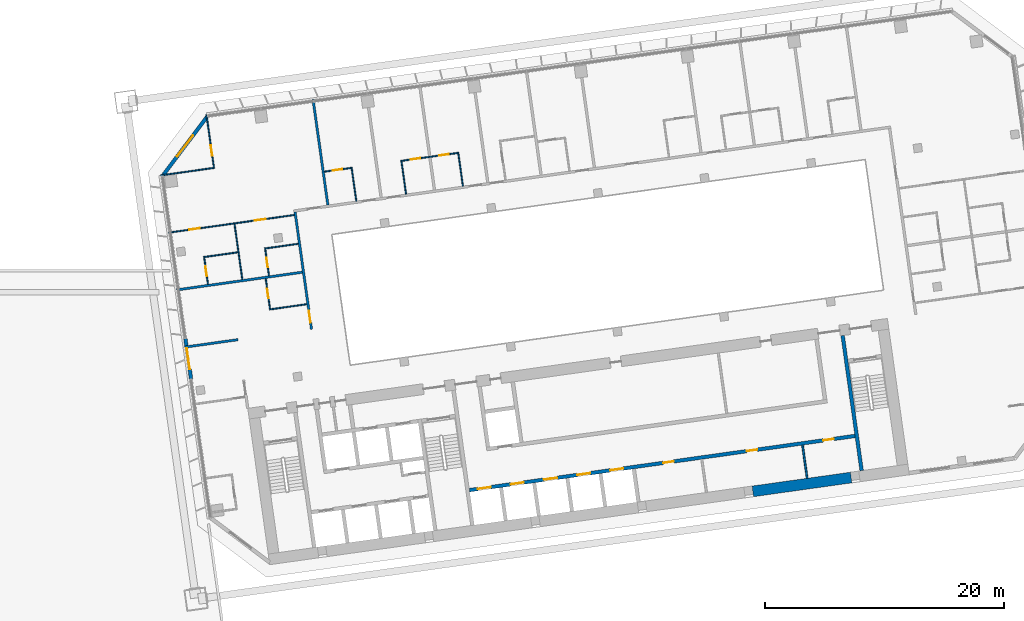
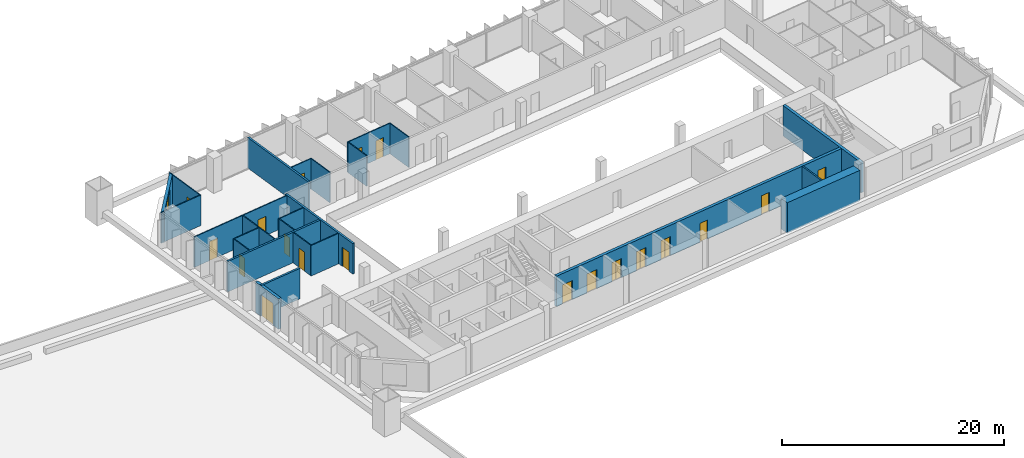
# One storey, part 34 of 46: 25 walls, 19 doors, 1 window, 20 openings.
"""IFC4 building model written with IfcOpenShell, lengths in metres."""

from ifc_helpers import new_model, si_unit, direction, frame, frame_2d, origin, place, context, subcontext, project, spatial, rectangle, extrude, material, layer, layer_set, type_object, element, fill, save


model = new_model("IFC4")

# Units and contexts
model_context = context("Model", 3, precision=1e-05, world=origin(), true_north=direction((0.0, 1.0)))
body_context = subcontext(model_context, "Body", "Model", "MODEL_VIEW")
ifc_project = project(units=[si_unit("LENGTHUNIT", "METRE"), si_unit("AREAUNIT", "SQUARE_METRE"), si_unit("VOLUMEUNIT", "CUBIC_METRE"), si_unit("PLANEANGLEUNIT", "RADIAN"), si_unit("MASSUNIT", "GRAM", prefix="KILO")], contexts=[model_context])

# Site, building, storey
site_placement = place(None, origin())
site = spatial("IfcSite", under=ifc_project, at=site_placement, CompositionType="ELEMENT")
building_placement = place(site_placement, origin())
building = spatial("IfcBuilding", under=site, at=building_placement, Name="Mirante Cascada Hotel Towers", CompositionType="ELEMENT")
storey_placement = place(building_placement, frame((0.0, 0.0, 39.5)))
storey = spatial("IfcBuildingStorey", under=building, at=storey_placement, Name="L06", CompositionType="ELEMENT", Elevation=39.5)

# Walls
ifc_material_1 = material(Name="Fire-rated plasterboard on metal studs")
ifc_layer_1 = layer(ifc_material_1, 0.2)
ifc_layer_set_1 = layer_set([ifc_layer_1], Name="Compartment wall 200 EI 120")
wall_type_1 = type_object("IfcWallType", Name="Compartment wall 200 EI 120", PredefinedType="PARTITIONING", material=ifc_layer_set_1)
wall_1_placement = place(storey_placement, frame((34.4562, -1.3737, 0.0), z_axis=(0.0, 0.0, 1.0), x_axis=(-0.9902674, -0.1391779, 0.0)))
element("IfcWall", 1, at=wall_1_placement, inside=storey, type_object=wall_type_1, Name="Wall 2-L06-08", PredefinedType="PARTITIONING", context=body_context, shape_type="SweptSolid", body=[
    extrude(rectangle(XDim=4.5, YDim=0.2, at=frame_2d((2.25, 0.0))), origin(), (0.0, 0.0, 1.0), 3.35),
])
wall_2_placement = place(storey_placement, frame((29.3273, 2.7863, 0.0), z_axis=(0.0, 0.0, 1.0), x_axis=(0.9902686, 0.1391691, 0.0)))
element("IfcWall", 2, at=wall_2_placement, inside=storey, type_object=wall_type_1, Name="Wall 2-L06-13", PredefinedType="PARTITIONING", context=body_context, shape_type="SweptSolid", body=[
    extrude(rectangle(XDim=10.6001, YDim=0.2, at=frame_2d((5.3, 0.0))), origin(), (0.0, 0.0, 1.0), 3.35),
])

# Wall, opening, door
wall_3_placement = place(storey_placement, frame((39.2181, 9.2928, 0.0), z_axis=(0.0, 0.0, 1.0), x_axis=(0.1391725, -0.9902682, 0.0)))
wall_3 = element("IfcWall", 3, at=wall_3_placement, inside=storey, type_object=wall_type_1, Name="Wall 2-L06-34", PredefinedType="PARTITIONING", context=body_context, shape_type="SweptSolid", body=[
    extrude(rectangle(XDim=9.8999, YDim=0.2, at=frame_2d((4.95, 0.0))), origin(), (0.0, 0.0, 1.0), 3.35),
])
opening_1_placement = place(wall_3_placement, frame((8.3333, 0.0, 0.0)))
opening_1 = element("IfcOpeningElement", 4, at=opening_1_placement, cuts=wall_3, Name="Opening D2-L06-33", PredefinedType="OPENING", context=body_context, shape_type="SweptSolid", body=[
    extrude(rectangle(XDim=1.0, YDim=2.1, at=frame_2d((0.5, 1.05))), frame((0.0, 0.1, 0.0), z_axis=(0.0, -1.0, 0.0), x_axis=(1.0, 0.0, 0.0)), (0.0, 0.0, 1.0), 0.2),
])
ifc_material_2 = material(Name="Fire-rated timber door leaf", Category="wood")
door_type_1 = type_object("IfcDoorType", Name="Entrance door DG1 1000x2100 EI 60", OperationType="SINGLE_SWING_LEFT", PredefinedType="DOOR", material=ifc_material_2)
door_1_placement = place(opening_1_placement, frame((1.0, 0.0, 0.0), z_axis=(0.0, 0.0, 1.0), x_axis=(-1.0, 0.0, 0.0)))
door_1 = element("IfcDoor", 5, at=door_1_placement, inside=storey, type_object=door_type_1, Name="Door D2-L06-33", OperationType="SINGLE_SWING_RIGHT", OverallHeight=2.1, OverallWidth=1.0, PredefinedType="DOOR", context=body_context, shape_type="SweptSolid", body=[
    extrude(rectangle(XDim=1.0, YDim=2.1, at=frame_2d((0.5, 1.05))), frame((0.0, 0.025, 0.0), z_axis=(0.0, -1.0, 0.0), x_axis=(1.0, 0.0, 0.0)), (0.0, 0.0, 1.0), 0.05),
])
fill(opening_1, door_1)

# Walls
wall_4_placement = place(storey_placement, frame((41.963, 9.8805, 0.0), z_axis=(0.0, 0.0, 1.0), x_axis=(-0.1391794, 0.9902672, 0.0)))
element("IfcWall", 6, at=wall_4_placement, inside=storey, type_object=wall_type_1, Name="Wall 2-L06-35", PredefinedType="PARTITIONING", context=body_context, shape_type="SweptSolid", body=[
    extrude(rectangle(XDim=8.9, YDim=0.2, at=frame_2d((4.45, 0.0))), origin(), (0.0, 0.0, 1.0), 3.35),
])
ifc_material_3 = material(Name="Masonry block", Category="masonry")
ifc_layer_2 = layer(ifc_material_3, 0.15)
ifc_layer_set_2 = layer_set([ifc_layer_2], Name="Core room partition 150 block EI 30")
wall_type_2 = type_object("IfcWallType", Name="Core room partition 150 block EI 30", PredefinedType="PARTITIONING", material=ifc_layer_set_2)
wall_5_placement = place(storey_placement, frame((82.0324, -12.9652, 0.0), z_axis=(0.0, 0.0, 1.0), x_axis=(-0.139141, 0.9902726, 0.0)))
element("IfcWall", 7, at=wall_5_placement, inside=storey, type_object=wall_type_2, Name="Core wall partition T2 L06 6", PredefinedType="PARTITIONING", context=body_context, shape_type="SweptSolid", body=[
    extrude(rectangle(XDim=2.8, YDim=0.15, at=frame_2d((1.4, 0.0))), origin(), (0.0, 0.0, 1.0), 3.35),
])
ifc_material_4 = material(Name="Plasterboard on metal studs")
ifc_layer_3 = layer(ifc_material_4, 0.1)
ifc_layer_set_3 = layer_set([ifc_layer_3], Name="Partition 100")
wall_type_3 = type_object("IfcWallType", Name="Partition 100", PredefinedType="PARTITIONING", material=ifc_layer_set_3)
wall_6_placement = place(storey_placement, frame((40.1999, 1.5878, 0.0), z_axis=(0.0, 0.0, 1.0), x_axis=(-0.9902676, -0.1391765, 0.0)))
element("IfcWall", 8, at=wall_6_placement, inside=storey, type_object=wall_type_3, Name="Wall 2-L06-10", PredefinedType="PARTITIONING", context=body_context, shape_type="SweptSolid", body=[
    extrude(rectangle(XDim=3.15, YDim=0.1, at=frame_2d((1.575, 0.0))), origin(), (0.0, 0.0, 1.0), 3.35),
])
wall_7_placement = place(storey_placement, frame((31.568, 5.5248, 0.0), z_axis=(0.0, 0.0, 1.0), x_axis=(0.9902683, 0.1391714, 0.0)))
element("IfcWall", 9, at=wall_7_placement, inside=storey, type_object=wall_type_3, Name="Wall 2-L06-15", PredefinedType="PARTITIONING", context=body_context, shape_type="SweptSolid", body=[
    extrude(rectangle(XDim=2.9, YDim=0.1, at=frame_2d((1.45, 0.0))), origin(), (0.0, 0.0, 1.0), 3.35),
])
wall_8_placement = place(storey_placement, frame((39.4902, 6.6381, 0.0), z_axis=(0.0, 0.0, 1.0), x_axis=(-0.9902704, -0.1391564, 0.0)))
element("IfcWall", 10, at=wall_8_placement, inside=storey, type_object=wall_type_3, Name="Wall 2-L06-16", PredefinedType="PARTITIONING", context=body_context, shape_type="SweptSolid", body=[
    extrude(rectangle(XDim=2.85, YDim=0.1, at=frame_2d((1.425, 0.0))), origin(), (0.0, 0.0, 1.0), 3.35),
])

# Wall, openings, doors
wall_9_placement = place(storey_placement, frame((28.6547, 7.5726, 0.0), z_axis=(0.0, 0.0, 1.0), x_axis=(0.9902671, 0.1391797, 0.0)))
wall_9 = element("IfcWall", 11, at=wall_9_placement, inside=storey, type_object=wall_type_3, Name="Wall 2-L06-17", PredefinedType="PARTITIONING", context=body_context, shape_type="SweptSolid", body=[
    extrude(rectangle(XDim=10.6, YDim=0.1, at=frame_2d((5.3, 0.0))), origin(), (0.0, 0.0, 1.0), 3.35),
])
opening_2_placement = place(wall_9_placement, frame((1.725, 0.0, 0.0)))
opening_2 = element("IfcOpeningElement", 12, at=opening_2_placement, cuts=wall_9, Name="Opening D2-L06-07", PredefinedType="OPENING", context=body_context, shape_type="SweptSolid", body=[
    extrude(rectangle(XDim=0.9, YDim=2.1, at=frame_2d((0.45, 1.05))), frame((0.0, 0.05, 0.0), z_axis=(0.0, -1.0, 0.0), x_axis=(1.0, 0.0, 0.0)), (0.0, 0.0, 1.0), 0.1),
])
opening_3_placement = place(wall_9_placement, frame((7.275, 0.0, 0.0)))
opening_3 = element("IfcOpeningElement", 13, at=opening_3_placement, cuts=wall_9, Name="Opening D2-L06-08", PredefinedType="OPENING", context=body_context, shape_type="SweptSolid", body=[
    extrude(rectangle(XDim=0.9, YDim=2.1, at=frame_2d((0.45, 1.05))), frame((0.0, 0.05, 0.0), z_axis=(0.0, -1.0, 0.0), x_axis=(1.0, 0.0, 0.0)), (0.0, 0.0, 1.0), 0.1),
])
ifc_material_5 = material(Name="Timber door leaf", Category="wood")
door_type_2 = type_object("IfcDoorType", Name="Room door DG3 900x2100", OperationType="SINGLE_SWING_LEFT", PredefinedType="DOOR", material=ifc_material_5)
door_2_placement = place(opening_2_placement, origin())
door_2 = element("IfcDoor", 14, at=door_2_placement, inside=storey, type_object=door_type_2, Name="Door D2-L06-07", OperationType="SINGLE_SWING_LEFT", OverallHeight=2.1, OverallWidth=0.9, PredefinedType="DOOR", context=body_context, shape_type="SweptSolid", body=[
    extrude(rectangle(XDim=0.9, YDim=2.1, at=frame_2d((0.45, 1.05))), frame((0.0, 0.025, 0.0), z_axis=(0.0, -1.0, 0.0), x_axis=(1.0, 0.0, 0.0)), (0.0, 0.0, 1.0), 0.05),
])
fill(opening_2, door_2)
door_3_placement = place(opening_3_placement, origin())
door_3 = element("IfcDoor", 15, at=door_3_placement, inside=storey, type_object=door_type_2, Name="Door D2-L06-08", OperationType="SINGLE_SWING_LEFT", OverallHeight=2.1, OverallWidth=0.9, PredefinedType="DOOR", context=body_context, shape_type="SweptSolid", body=[
    extrude(rectangle(XDim=0.9, YDim=2.1, at=frame_2d((0.45, 1.05))), frame((0.0, 0.025, 0.0), z_axis=(0.0, -1.0, 0.0), x_axis=(1.0, 0.0, 0.0)), (0.0, 0.0, 1.0), 0.05),
])
fill(opening_3, door_3)

# Wall, opening, door
wall_10_placement = place(storey_placement, frame((41.6723, 12.6672, 0.0), z_axis=(0.0, 0.0, 1.0), x_axis=(0.9902643, 0.1391997, 0.0)))
wall_10 = element("IfcWall", 16, at=wall_10_placement, inside=storey, type_object=wall_type_3, Name="Wall 2-L06-19", PredefinedType="PARTITIONING", context=body_context, shape_type="SweptSolid", body=[
    extrude(rectangle(XDim=2.25, YDim=0.1, at=frame_2d((1.125, 0.0))), origin(), (0.0, 0.0, 1.0), 3.35),
])
opening_4_placement = place(wall_10_placement, frame((0.7, 0.0, 0.0)))
opening_4 = element("IfcOpeningElement", 17, at=opening_4_placement, cuts=wall_10, Name="Opening D2-L06-19", PredefinedType="OPENING", context=body_context, shape_type="SweptSolid", body=[
    extrude(rectangle(XDim=0.8, YDim=2.1, at=frame_2d((0.4, 1.05))), frame((0.0, 0.05, 0.0), z_axis=(0.0, -1.0, 0.0), x_axis=(1.0, 0.0, 0.0)), (0.0, 0.0, 1.0), 0.1),
])
ifc_material_6 = material(Name="Timber door leaf", Category="wood")
door_type_3 = type_object("IfcDoorType", Name="Bathroom door DG4 800x2100", OperationType="SINGLE_SWING_LEFT", PredefinedType="DOOR", material=ifc_material_6)
door_4_placement = place(opening_4_placement, origin())
door_4 = element("IfcDoor", 18, at=door_4_placement, inside=storey, type_object=door_type_3, Name="Door D2-L06-19", OperationType="SINGLE_SWING_LEFT", OverallHeight=2.1, OverallWidth=0.8, PredefinedType="DOOR", context=body_context, shape_type="SweptSolid", body=[
    extrude(rectangle(XDim=0.8, YDim=2.1, at=frame_2d((0.4, 1.05))), frame((0.0, 0.025, 0.0), z_axis=(0.0, -1.0, 0.0), x_axis=(1.0, 0.0, 0.0)), (0.0, 0.0, 1.0), 0.05),
])
fill(opening_4, door_4)

# Wall, openings, doors
wall_11_placement = place(storey_placement, frame((52.9119, 14.2468, 0.0), z_axis=(0.0, 0.0, 1.0), x_axis=(-0.9902698, -0.139161, 0.0)))
wall_11 = element("IfcWall", 19, at=wall_11_placement, inside=storey, type_object=wall_type_3, Name="Wall 2-L06-20", PredefinedType="PARTITIONING", context=body_context, shape_type="SweptSolid", body=[
    extrude(rectangle(XDim=4.9001, YDim=0.1, at=frame_2d((2.45, 0.0))), origin(), (0.0, 0.0, 1.0), 3.35),
])
opening_5_placement = place(wall_11_placement, frame((3.25, 0.0, 0.0)))
opening_5 = element("IfcOpeningElement", 20, at=opening_5_placement, cuts=wall_11, Name="Opening D2-L06-20", PredefinedType="OPENING", context=body_context, shape_type="SweptSolid", body=[
    extrude(rectangle(XDim=0.8, YDim=2.1, at=frame_2d((0.4, 1.05))), frame((0.0, 0.05, 0.0), z_axis=(0.0, -1.0, 0.0), x_axis=(1.0, 0.0, 0.0)), (0.0, 0.0, 1.0), 0.1),
])
opening_6_placement = place(wall_11_placement, frame((0.85, 0.0, 0.0)))
opening_6 = element("IfcOpeningElement", 21, at=opening_6_placement, cuts=wall_11, Name="Opening D2-L06-21", PredefinedType="OPENING", context=body_context, shape_type="SweptSolid", body=[
    extrude(rectangle(XDim=0.8, YDim=2.1, at=frame_2d((0.4, 1.05))), frame((0.0, 0.05, 0.0), z_axis=(0.0, -1.0, 0.0), x_axis=(1.0, 0.0, 0.0)), (0.0, 0.0, 1.0), 0.1),
])
door_5_placement = place(opening_5_placement, frame((0.8, 0.0, 0.0), z_axis=(0.0, 0.0, 1.0), x_axis=(-1.0, 0.0, 0.0)))
door_5 = element("IfcDoor", 22, at=door_5_placement, inside=storey, type_object=door_type_3, Name="Door D2-L06-20", OperationType="SINGLE_SWING_RIGHT", OverallHeight=2.1, OverallWidth=0.8, PredefinedType="DOOR", context=body_context, shape_type="SweptSolid", body=[
    extrude(rectangle(XDim=0.8, YDim=2.1, at=frame_2d((0.4, 1.05))), frame((0.0, 0.025, 0.0), z_axis=(0.0, -1.0, 0.0), x_axis=(1.0, 0.0, 0.0)), (0.0, 0.0, 1.0), 0.05),
])
fill(opening_5, door_5)
door_6_placement = place(opening_6_placement, frame((0.8, 0.0, 0.0), z_axis=(0.0, 0.0, 1.0), x_axis=(-1.0, 0.0, 0.0)))
door_6 = element("IfcDoor", 23, at=door_6_placement, inside=storey, type_object=door_type_3, Name="Door D2-L06-21", OperationType="SINGLE_SWING_RIGHT", OverallHeight=2.1, OverallWidth=0.8, PredefinedType="DOOR", context=body_context, shape_type="SweptSolid", body=[
    extrude(rectangle(XDim=0.8, YDim=2.1, at=frame_2d((0.4, 1.05))), frame((0.0, 0.025, 0.0), z_axis=(0.0, -1.0, 0.0), x_axis=(1.0, 0.0, 0.0)), (0.0, 0.0, 1.0), 0.05),
])
fill(opening_6, door_6)

# Wall
wall_12_placement = place(storey_placement, frame((32.4877, 12.9921, 0.0), z_axis=(0.0, 0.0, 1.0), x_axis=(-0.9902691, -0.1391656, 0.0)))
element("IfcWall", 24, at=wall_12_placement, inside=storey, type_object=wall_type_3, Name="Wall 2-L06-26", PredefinedType="PARTITIONING", context=body_context, shape_type="SweptSolid", body=[
    extrude(rectangle(XDim=4.55, YDim=0.1, at=frame_2d((2.275, 0.0))), origin(), (0.0, 0.0, 1.0), 3.35),
])

# Wall, opening, door
wall_13_placement = place(storey_placement, frame((31.6245, 5.4822, 0.0), z_axis=(0.0, 0.0, 1.0), x_axis=(0.1391561, -0.9902705, 0.0)))
wall_13 = element("IfcWall", 25, at=wall_13_placement, inside=storey, type_object=wall_type_3, Name="Wall 2-L06-28", PredefinedType="PARTITIONING", context=body_context, shape_type="SweptSolid", body=[
    extrude(rectangle(XDim=2.25, YDim=0.1, at=frame_2d((1.125, 0.0))), origin(), (0.0, 0.0, 1.0), 3.35),
])
opening_7_placement = place(wall_13_placement, frame((0.75, 0.0, 0.0)))
opening_7 = element("IfcOpeningElement", 26, at=opening_7_placement, cuts=wall_13, Name="Opening D2-L06-28", PredefinedType="OPENING", context=body_context, shape_type="SweptSolid", body=[
    extrude(rectangle(XDim=0.8, YDim=2.1, at=frame_2d((0.4, 1.05))), frame((0.0, 0.05, 0.0), z_axis=(0.0, -1.0, 0.0), x_axis=(1.0, 0.0, 0.0)), (0.0, 0.0, 1.0), 0.1),
])
door_7_placement = place(opening_7_placement, origin())
door_7 = element("IfcDoor", 27, at=door_7_placement, inside=storey, type_object=door_type_3, Name="Door D2-L06-28", OperationType="SINGLE_SWING_LEFT", OverallHeight=2.1, OverallWidth=0.8, PredefinedType="DOOR", context=body_context, shape_type="SweptSolid", body=[
    extrude(rectangle(XDim=0.8, YDim=2.1, at=frame_2d((0.4, 1.05))), frame((0.0, 0.025, 0.0), z_axis=(0.0, -1.0, 0.0), x_axis=(1.0, 0.0, 0.0)), (0.0, 0.0, 1.0), 0.05),
])
fill(opening_7, door_7)

wall_14_placement = place(storey_placement, frame((31.8119, 17.4414, 0.0), z_axis=(0.0, 0.0, 1.0), x_axis=(0.1391684, -0.9902687, 0.0)))
wall_14 = element("IfcWall", 28, at=wall_14_placement, inside=storey, type_object=wall_type_3, Name="Wall 2-L06-30", PredefinedType="PARTITIONING", context=body_context, shape_type="SweptSolid", body=[
    extrude(rectangle(XDim=4.45, YDim=0.1, at=frame_2d((2.225, 0.0))), origin(), (0.0, 0.0, 1.0), 3.35),
])
opening_8_placement = place(wall_14_placement, frame((2.5833, 0.0, 0.0)))
opening_8 = element("IfcOpeningElement", 29, at=opening_8_placement, cuts=wall_14, Name="Opening D2-L06-30", PredefinedType="OPENING", context=body_context, shape_type="SweptSolid", body=[
    extrude(rectangle(XDim=0.9, YDim=2.1, at=frame_2d((0.45, 1.05))), frame((0.0, 0.05, 0.0), z_axis=(0.0, -1.0, 0.0), x_axis=(1.0, 0.0, 0.0)), (0.0, 0.0, 1.0), 0.1),
])
door_8_placement = place(opening_8_placement, origin())
door_8 = element("IfcDoor", 30, at=door_8_placement, inside=storey, type_object=door_type_2, Name="Door D2-L06-30", OperationType="SINGLE_SWING_LEFT", OverallHeight=2.1, OverallWidth=0.9, PredefinedType="DOOR", context=body_context, shape_type="SweptSolid", body=[
    extrude(rectangle(XDim=0.9, YDim=2.1, at=frame_2d((0.45, 1.05))), frame((0.0, 0.025, 0.0), z_axis=(0.0, -1.0, 0.0), x_axis=(1.0, 0.0, 0.0)), (0.0, 0.0, 1.0), 0.05),
])
fill(opening_8, door_8)

# Wall
wall_15_placement = place(storey_placement, frame((34.8094, 3.6577, 0.0), z_axis=(0.0, 0.0, 1.0), x_axis=(-0.139173, 0.9902681, 0.0)))
element("IfcWall", 31, at=wall_15_placement, inside=storey, type_object=wall_type_3, Name="Wall 2-L06-31", PredefinedType="PARTITIONING", context=body_context, shape_type="SweptSolid", body=[
    extrude(rectangle(XDim=4.6834, YDim=0.1, at=frame_2d((2.3417, 0.0))), origin(), (0.0, 0.0, 1.0), 3.35),
])

# Wall, opening, door
wall_16_placement = place(storey_placement, frame((36.7683, 3.731, 0.0), z_axis=(0.0, 0.0, 1.0), x_axis=(0.1391809, -0.990267, 0.0)))
wall_16 = element("IfcWall", 32, at=wall_16_placement, inside=storey, type_object=wall_type_3, Name="Wall 2-L06-32", PredefinedType="PARTITIONING", context=body_context, shape_type="SweptSolid", body=[
    extrude(rectangle(XDim=2.5499, YDim=0.1, at=frame_2d((1.275, 0.0))), origin(), (0.0, 0.0, 1.0), 3.35),
])
opening_9_placement = place(wall_16_placement, frame((0.85, 0.0, 0.0)))
opening_9 = element("IfcOpeningElement", 33, at=opening_9_placement, cuts=wall_16, Name="Opening D2-L06-31", PredefinedType="OPENING", context=body_context, shape_type="SweptSolid", body=[
    extrude(rectangle(XDim=0.8, YDim=2.1, at=frame_2d((0.4, 1.05))), frame((0.0, 0.05, 0.0), z_axis=(0.0, -1.0, 0.0), x_axis=(1.0, 0.0, 0.0)), (0.0, 0.0, 1.0), 0.1),
])
door_9_placement = place(opening_9_placement, frame((0.8, 0.0, 0.0), z_axis=(0.0, 0.0, 1.0), x_axis=(-1.0, 0.0, 0.0)))
door_9 = element("IfcDoor", 34, at=door_9_placement, inside=storey, type_object=door_type_3, Name="Door D2-L06-31", OperationType="SINGLE_SWING_RIGHT", OverallHeight=2.1, OverallWidth=0.8, PredefinedType="DOOR", context=body_context, shape_type="SweptSolid", body=[
    extrude(rectangle(XDim=0.8, YDim=2.1, at=frame_2d((0.4, 1.05))), frame((0.0, 0.025, 0.0), z_axis=(0.0, -1.0, 0.0), x_axis=(1.0, 0.0, 0.0)), (0.0, 0.0, 1.0), 0.05),
])
fill(opening_9, door_9)

wall_17_placement = place(storey_placement, frame((37.0375, 3.9708, 0.0), z_axis=(0.0, 0.0, 1.0), x_axis=(-0.1391561, 0.9902705, 0.0)))
wall_17 = element("IfcWall", 35, at=wall_17_placement, inside=storey, type_object=wall_type_3, Name="Wall 2-L06-33", PredefinedType="PARTITIONING", context=body_context, shape_type="SweptSolid", body=[
    extrude(rectangle(XDim=2.25, YDim=0.1, at=frame_2d((1.125, 0.0))), origin(), (0.0, 0.0, 1.0), 3.35),
])
opening_10_placement = place(wall_17_placement, frame((0.7, 0.0, 0.0)))
opening_10 = element("IfcOpeningElement", 36, at=opening_10_placement, cuts=wall_17, Name="Opening D2-L06-32", PredefinedType="OPENING", context=body_context, shape_type="SweptSolid", body=[
    extrude(rectangle(XDim=0.8, YDim=2.1, at=frame_2d((0.4, 1.05))), frame((0.0, 0.05, 0.0), z_axis=(0.0, -1.0, 0.0), x_axis=(1.0, 0.0, 0.0)), (0.0, 0.0, 1.0), 0.1),
])
door_10_placement = place(opening_10_placement, frame((0.8, 0.0, 0.0), z_axis=(0.0, 0.0, 1.0), x_axis=(-1.0, 0.0, 0.0)))
door_10 = element("IfcDoor", 37, at=door_10_placement, inside=storey, type_object=door_type_3, Name="Door D2-L06-32", OperationType="SINGLE_SWING_RIGHT", OverallHeight=2.1, OverallWidth=0.8, PredefinedType="DOOR", context=body_context, shape_type="SweptSolid", body=[
    extrude(rectangle(XDim=0.8, YDim=2.1, at=frame_2d((0.4, 1.05))), frame((0.0, 0.025, 0.0), z_axis=(0.0, -1.0, 0.0), x_axis=(1.0, 0.0, 0.0)), (0.0, 0.0, 1.0), 0.05),
])
fill(opening_10, door_10)

# Walls
wall_18_placement = place(storey_placement, frame((43.943, 13.0368, 0.0), z_axis=(0.0, 0.0, 1.0), x_axis=(0.1391613, -0.9902697, 0.0)))
element("IfcWall", 38, at=wall_18_placement, inside=storey, type_object=wall_type_3, Name="Wall 2-L06-36", PredefinedType="PARTITIONING", context=body_context, shape_type="SweptSolid", body=[
    extrude(rectangle(XDim=2.8499, YDim=0.1, at=frame_2d((1.425, 0.0))), origin(), (0.0, 0.0, 1.0), 3.35),
])
wall_19_placement = place(storey_placement, frame((48.116, 13.5223, 0.0), z_axis=(0.0, 0.0, 1.0), x_axis=(0.1391657, -0.9902691, 0.0)))
element("IfcWall", 39, at=wall_19_placement, inside=storey, type_object=wall_type_3, Name="Wall 2-L06-38", PredefinedType="PARTITIONING", context=body_context, shape_type="SweptSolid", body=[
    extrude(rectangle(XDim=2.75, YDim=0.1, at=frame_2d((1.375, 0.0))), origin(), (0.0, 0.0, 1.0), 3.35),
])
wall_20_placement = place(storey_placement, frame((52.8693, 14.1904, 0.0), z_axis=(0.0, 0.0, 1.0), x_axis=(0.1391607, -0.9902698, 0.0)))
element("IfcWall", 40, at=wall_20_placement, inside=storey, type_object=wall_type_3, Name="Wall 2-L06-40", PredefinedType="PARTITIONING", context=body_context, shape_type="SweptSolid", body=[
    extrude(rectangle(XDim=2.7501, YDim=0.1, at=frame_2d((1.3751, 0.0))), origin(), (0.0, 0.0, 1.0), 3.35),
])

# Wall, opening, window
ifc_material_7 = material(Name="Precast concrete C40/50", Category="concrete")
ifc_layer_4 = layer(ifc_material_7, 0.3)
ifc_layer_set_4 = layer_set([ifc_layer_4], Name="Precast concrete C40/50 cladding wall 300")
wall_type_4 = type_object("IfcWallType", Name="Precast concrete C40/50 cladding wall 300", PredefinedType="STANDARD", material=ifc_layer_set_4)
wall_21_placement = place(storey_placement, frame((31.857, 17.252, 0.0), z_axis=(0.0, 0.0, 1.0), x_axis=(-0.6018141, -0.7986362, 0.0)))
wall_21 = element("IfcWall", 41, at=wall_21_placement, inside=storey, type_object=wall_type_4, Name="Corner cladding wall T2 L06 front inner", PredefinedType="STANDARD", context=body_context, shape_type="SweptSolid", body=[
    extrude(rectangle(XDim=6.1157, YDim=0.3, at=frame_2d((3.0578, 0.0))), origin(), (0.0, 0.0, 1.0), 3.35),
])
opening_11_placement = place(wall_21_placement, frame((1.9578, 0.0, 0.6)))
opening_11 = element("IfcOpeningElement", 42, at=opening_11_placement, cuts=wall_21, Name="Opening W2-06-04", PredefinedType="OPENING", context=body_context, shape_type="SweptSolid", body=[
    extrude(rectangle(XDim=2.2, YDim=2.4, at=frame_2d((1.1, 1.2))), frame((0.0, 0.15, 0.0), z_axis=(0.0, -1.0, 0.0), x_axis=(1.0, 0.0, 0.0)), (0.0, 0.0, 1.0), 0.3),
])
ifc_material_8 = material(Name="Aluminium frame with clear double glazing", Category="aluminium")
window_type = type_object("IfcWindowType", Name="Corner suite window 2200x2400", PartitioningType="DOUBLE_PANEL_VERTICAL", PredefinedType="WINDOW", material=ifc_material_8)
window_placement = place(opening_11_placement, origin())
window = element("IfcWindow", 43, at=window_placement, inside=storey, type_object=window_type, Name="Window W2-06-04", OverallHeight=2.4, OverallWidth=2.2, PartitioningType="SINGLE_PANEL", PredefinedType="WINDOW", context=body_context, shape_type="SweptSolid", body=[
    extrude(rectangle(XDim=2.2, YDim=2.4, at=frame_2d((1.1, 1.2))), frame((0.0, 0.03, 0.0), z_axis=(0.0, -1.0, 0.0), x_axis=(1.0, 0.0, 0.0)), (0.0, 0.0, 1.0), 0.06),
])
fill(opening_11, window)

# Wall, opening, door
ifc_material_9 = material(Name="Precast concrete C40/50", Category="concrete")
ifc_layer_5 = layer(ifc_material_9, 0.3)
ifc_layer_set_5 = layer_set([ifc_layer_5], Name="Precast concrete C40/50 terrace wall 300")
wall_type_5 = type_object("IfcWallType", Name="Precast concrete C40/50 terrace wall 300", PredefinedType="STANDARD", material=ifc_layer_set_5)
wall_22_placement = place(storey_placement, frame((30.0511, -1.2859, 0.0), z_axis=(0.0, 0.0, 1.0), x_axis=(0.1391769, -0.9902675, 0.0)))
wall_22 = element("IfcWall", 44, at=wall_22_placement, inside=storey, type_object=wall_type_5, Name="Terrace door pier wall T2 L06", PredefinedType="STANDARD", context=body_context, shape_type="SweptSolid", body=[
    extrude(rectangle(XDim=3.4, YDim=0.3, at=frame_2d((1.7, 0.0))), origin(), (0.0, 0.0, 1.0), 3.35),
])
opening_12_placement = place(wall_22_placement, frame((0.8, 0.0, 0.0)))
opening_12 = element("IfcOpeningElement", 45, at=opening_12_placement, cuts=wall_22, Name="Opening D2-06-91", PredefinedType="OPENING", context=body_context, shape_type="SweptSolid", body=[
    extrude(rectangle(XDim=1.8, YDim=2.4, at=frame_2d((0.9, 1.2))), frame((0.0, 0.15, 0.0), z_axis=(0.0, -1.0, 0.0), x_axis=(1.0, 0.0, 0.0)), (0.0, 0.0, 1.0), 0.3),
])
ifc_material_10 = material(Name="Aluminium frame with clear laminated glazing", Category="aluminium")
door_type_4 = type_object("IfcDoorType", Name="Terrace double door 1800x2400", OperationType="DOUBLE_DOOR_SINGLE_SWING", PredefinedType="DOOR", material=ifc_material_10)
door_11_placement = place(opening_12_placement, origin())
door_11 = element("IfcDoor", 46, at=door_11_placement, inside=storey, type_object=door_type_4, Name="Terrace door D2-06-91", OperationType="DOUBLE_DOOR_SINGLE_SWING", OverallHeight=2.4, OverallWidth=1.8, PredefinedType="DOOR", context=body_context, shape_type="SweptSolid", body=[
    extrude(rectangle(XDim=0.895, YDim=2.4, at=frame_2d((0.4475, 1.2))), frame((0.0, 0.025, 0.0), z_axis=(0.0, -1.0, 0.0), x_axis=(1.0, 0.0, 0.0)), (0.0, 0.0, 1.0), 0.05),
    extrude(rectangle(XDim=0.895, YDim=2.4, at=frame_2d((1.3525, 1.2))), frame((0.0, 0.025, 0.0), z_axis=(0.0, -1.0, 0.0), x_axis=(1.0, 0.0, 0.0)), (0.0, 0.0, 1.0), 0.05),
])
fill(opening_12, door_11)

# Wall
ifc_material_11 = material(Name="Concrete C50/60", Category="concrete")
ifc_layer_6 = layer(ifc_material_11, 0.3)
ifc_layer_set_6 = layer_set([ifc_layer_6], Name="RC core wall 300 C50/60")
wall_type_6 = type_object("IfcWallType", Name="RC core wall 300 C50/60", PredefinedType="SHEAR", material=ifc_layer_set_6)
wall_23_placement = place(storey_placement, frame((86.5877, -12.325, 0.0), z_axis=(0.0, 0.0, 1.0), x_axis=(-0.1391749, 0.9902678, 0.0)))
element("IfcWall", 47, at=wall_23_placement, inside=storey, type_object=wall_type_6, Name="Core wall T2:L06:8", PredefinedType="SHEAR", context=body_context, shape_type="SweptSolid", body=[
    extrude(rectangle(XDim=11.4, YDim=0.3, at=frame_2d((5.7, 0.0))), origin(), (0.0, 0.0, 1.0), 3.35),
])

# Wall, openings, doors
wall_24_placement = place(storey_placement, frame((53.7953, -13.9547, 0.0), z_axis=(0.0, 0.0, 1.0), x_axis=(0.990268, 0.1391733, 0.0)))
wall_24 = element("IfcWall", 48, at=wall_24_placement, inside=storey, type_object=wall_type_6, Name="Core wall T2:L06:25", PredefinedType="SHEAR", context=body_context, shape_type="SweptSolid", body=[
    extrude(rectangle(XDim=32.5501, YDim=0.3, at=frame_2d((16.275, 0.0))), origin(), (0.0, 0.0, 1.0), 3.35),
])
opening_13_placement = place(wall_24_placement, frame((0.7, 0.0, 0.0)))
opening_13 = element("IfcOpeningElement", 49, at=opening_13_placement, cuts=wall_24, Name="Opening LD", PredefinedType="OPENING", context=body_context, shape_type="SweptSolid", body=[
    extrude(rectangle(XDim=1.1, YDim=2.1, at=frame_2d((0.55, 1.05))), frame((0.0, 0.15, 0.0), z_axis=(0.0, -1.0, 0.0), x_axis=(1.0, 0.0, 0.0)), (0.0, 0.0, 1.0), 0.3),
])
opening_14_placement = place(wall_24_placement, frame((3.5, 0.0, 0.0)))
opening_14 = element("IfcOpeningElement", 50, at=opening_14_placement, cuts=wall_24, Name="Opening LD", PredefinedType="OPENING", context=body_context, shape_type="SweptSolid", body=[
    extrude(rectangle(XDim=1.1, YDim=2.1, at=frame_2d((0.55, 1.05))), frame((0.0, 0.15, 0.0), z_axis=(0.0, -1.0, 0.0), x_axis=(1.0, 0.0, 0.0)), (0.0, 0.0, 1.0), 0.3),
])
opening_15_placement = place(wall_24_placement, frame((6.3, 0.0, 0.0)))
opening_15 = element("IfcOpeningElement", 51, at=opening_15_placement, cuts=wall_24, Name="Opening LD", PredefinedType="OPENING", context=body_context, shape_type="SweptSolid", body=[
    extrude(rectangle(XDim=1.1, YDim=2.1, at=frame_2d((0.55, 1.05))), frame((0.0, 0.15, 0.0), z_axis=(0.0, -1.0, 0.0), x_axis=(1.0, 0.0, 0.0)), (0.0, 0.0, 1.0), 0.3),
])
opening_16_placement = place(wall_24_placement, frame((9.1, 0.0, 0.0)))
opening_16 = element("IfcOpeningElement", 52, at=opening_16_placement, cuts=wall_24, Name="Opening LD", PredefinedType="OPENING", context=body_context, shape_type="SweptSolid", body=[
    extrude(rectangle(XDim=1.1, YDim=2.1, at=frame_2d((0.55, 1.05))), frame((0.0, 0.15, 0.0), z_axis=(0.0, -1.0, 0.0), x_axis=(1.0, 0.0, 0.0)), (0.0, 0.0, 1.0), 0.3),
])
opening_17_placement = place(wall_24_placement, frame((11.9, 0.0, 0.0)))
opening_17 = element("IfcOpeningElement", 53, at=opening_17_placement, cuts=wall_24, Name="Opening LD", PredefinedType="OPENING", context=body_context, shape_type="SweptSolid", body=[
    extrude(rectangle(XDim=1.1, YDim=2.1, at=frame_2d((0.55, 1.05))), frame((0.0, 0.15, 0.0), z_axis=(0.0, -1.0, 0.0), x_axis=(1.0, 0.0, 0.0)), (0.0, 0.0, 1.0), 0.3),
])
opening_18_placement = place(wall_24_placement, frame((16.35, 0.0, 0.0)))
opening_18 = element("IfcOpeningElement", 54, at=opening_18_placement, cuts=wall_24, Name="Opening D2-06-C26", PredefinedType="OPENING", context=body_context, shape_type="SweptSolid", body=[
    extrude(rectangle(XDim=0.9, YDim=2.1, at=frame_2d((0.45, 1.05))), frame((0.0, 0.15, 0.0), z_axis=(0.0, -1.0, 0.0), x_axis=(1.0, 0.0, 0.0)), (0.0, 0.0, 1.0), 0.3),
])
opening_19_placement = place(wall_24_placement, frame((23.4, 0.0, 0.0)))
opening_19 = element("IfcOpeningElement", 55, at=opening_19_placement, cuts=wall_24, Name="Opening D2-06-C27", PredefinedType="OPENING", context=body_context, shape_type="SweptSolid", body=[
    extrude(rectangle(XDim=0.9, YDim=2.1, at=frame_2d((0.45, 1.05))), frame((0.0, 0.15, 0.0), z_axis=(0.0, -1.0, 0.0), x_axis=(1.0, 0.0, 0.0)), (0.0, 0.0, 1.0), 0.3),
])
opening_20_placement = place(wall_24_placement, frame((29.875, 0.0, 0.0)))
opening_20 = element("IfcOpeningElement", 56, at=opening_20_placement, cuts=wall_24, Name="Opening D2-06-C28", PredefinedType="OPENING", context=body_context, shape_type="SweptSolid", body=[
    extrude(rectangle(XDim=0.9, YDim=2.1, at=frame_2d((0.45, 1.05))), frame((0.0, 0.15, 0.0), z_axis=(0.0, -1.0, 0.0), x_axis=(1.0, 0.0, 0.0)), (0.0, 0.0, 1.0), 0.3),
])
ifc_material_12 = material(Name="Hollow metal fire door leaf")
door_type_5 = type_object("IfcDoorType", Name="Fire door 900x2100 FD60", OperationType="NOTDEFINED", PredefinedType="DOOR", material=ifc_material_12)
door_12_placement = place(opening_18_placement, frame((0.9, 0.0, 0.0), z_axis=(0.0, 0.0, 1.0), x_axis=(-1.0, 0.0, 0.0)))
door_12 = element("IfcDoor", 57, at=door_12_placement, inside=storey, type_object=door_type_5, Name="Room door T2 L06 26", OperationType="SINGLE_SWING_LEFT", OverallHeight=2.1, OverallWidth=0.9, PredefinedType="DOOR", context=body_context, shape_type="SweptSolid", body=[
    extrude(rectangle(XDim=0.9, YDim=2.1, at=frame_2d((0.45, 1.05))), frame((0.0, 0.025, 0.0), z_axis=(0.0, -1.0, 0.0), x_axis=(1.0, 0.0, 0.0)), (0.0, 0.0, 1.0), 0.05),
])
fill(opening_18, door_12)
door_13_placement = place(opening_19_placement, frame((0.9, 0.0, 0.0), z_axis=(0.0, 0.0, 1.0), x_axis=(-1.0, 0.0, 0.0)))
door_13 = element("IfcDoor", 58, at=door_13_placement, inside=storey, type_object=door_type_5, Name="Room door T2 L06 27", OperationType="SINGLE_SWING_RIGHT", OverallHeight=2.1, OverallWidth=0.9, PredefinedType="DOOR", context=body_context, shape_type="SweptSolid", body=[
    extrude(rectangle(XDim=0.9, YDim=2.1, at=frame_2d((0.45, 1.05))), frame((0.0, 0.025, 0.0), z_axis=(0.0, -1.0, 0.0), x_axis=(1.0, 0.0, 0.0)), (0.0, 0.0, 1.0), 0.05),
])
fill(opening_19, door_13)
door_14_placement = place(opening_20_placement, frame((0.9, 0.0, 0.0), z_axis=(0.0, 0.0, 1.0), x_axis=(-1.0, 0.0, 0.0)))
door_14 = element("IfcDoor", 59, at=door_14_placement, inside=storey, type_object=door_type_5, Name="Room door T2 L06 28", OperationType="SINGLE_SWING_RIGHT", OverallHeight=2.1, OverallWidth=0.9, PredefinedType="DOOR", context=body_context, shape_type="SweptSolid", body=[
    extrude(rectangle(XDim=0.9, YDim=2.1, at=frame_2d((0.45, 1.05))), frame((0.0, 0.025, 0.0), z_axis=(0.0, -1.0, 0.0), x_axis=(1.0, 0.0, 0.0)), (0.0, 0.0, 1.0), 0.05),
])
fill(opening_20, door_14)
ifc_material_13 = material(Name="Stainless steel", Category="steel")
door_type_6 = type_object("IfcDoorType", Name="Lift landing door 1100x2100 EI 120", OperationType="DOUBLE_DOOR_SLIDING", PredefinedType="DOOR", material=ifc_material_13)
door_15_placement = place(opening_13_placement, origin())
door_15 = element("IfcDoor", 60, at=door_15_placement, inside=storey, type_object=door_type_6, Name="Lift landing door LR2-1 L06", OperationType="DOUBLE_DOOR_SLIDING", OverallHeight=2.1, OverallWidth=1.1, PredefinedType="DOOR", context=body_context, shape_type="SweptSolid", body=[
    extrude(rectangle(XDim=0.545, YDim=2.1, at=frame_2d((0.2725, 1.05))), frame((0.0, 0.025, 0.0), z_axis=(0.0, -1.0, 0.0), x_axis=(1.0, 0.0, 0.0)), (0.0, 0.0, 1.0), 0.05),
    extrude(rectangle(XDim=0.545, YDim=2.1, at=frame_2d((0.8275, 1.05))), frame((0.0, 0.025, 0.0), z_axis=(0.0, -1.0, 0.0), x_axis=(1.0, 0.0, 0.0)), (0.0, 0.0, 1.0), 0.05),
])
fill(opening_13, door_15)
door_16_placement = place(opening_14_placement, origin())
door_16 = element("IfcDoor", 61, at=door_16_placement, inside=storey, type_object=door_type_6, Name="Lift landing door LR2-2 L06", OperationType="DOUBLE_DOOR_SLIDING", OverallHeight=2.1, OverallWidth=1.1, PredefinedType="DOOR", context=body_context, shape_type="SweptSolid", body=[
    extrude(rectangle(XDim=0.545, YDim=2.1, at=frame_2d((0.2725, 1.05))), frame((0.0, 0.025, 0.0), z_axis=(0.0, -1.0, 0.0), x_axis=(1.0, 0.0, 0.0)), (0.0, 0.0, 1.0), 0.05),
    extrude(rectangle(XDim=0.545, YDim=2.1, at=frame_2d((0.8275, 1.05))), frame((0.0, 0.025, 0.0), z_axis=(0.0, -1.0, 0.0), x_axis=(1.0, 0.0, 0.0)), (0.0, 0.0, 1.0), 0.05),
])
fill(opening_14, door_16)
door_17_placement = place(opening_15_placement, origin())
door_17 = element("IfcDoor", 62, at=door_17_placement, inside=storey, type_object=door_type_6, Name="Lift landing door SV2-1 L06", OperationType="DOUBLE_DOOR_SLIDING", OverallHeight=2.1, OverallWidth=1.1, PredefinedType="DOOR", context=body_context, shape_type="SweptSolid", body=[
    extrude(rectangle(XDim=0.545, YDim=2.1, at=frame_2d((0.2725, 1.05))), frame((0.0, 0.025, 0.0), z_axis=(0.0, -1.0, 0.0), x_axis=(1.0, 0.0, 0.0)), (0.0, 0.0, 1.0), 0.05),
    extrude(rectangle(XDim=0.545, YDim=2.1, at=frame_2d((0.8275, 1.05))), frame((0.0, 0.025, 0.0), z_axis=(0.0, -1.0, 0.0), x_axis=(1.0, 0.0, 0.0)), (0.0, 0.0, 1.0), 0.05),
])
fill(opening_15, door_17)
door_18_placement = place(opening_16_placement, origin())
door_18 = element("IfcDoor", 63, at=door_18_placement, inside=storey, type_object=door_type_6, Name="Lift landing door SV2-2 L06", OperationType="DOUBLE_DOOR_SLIDING", OverallHeight=2.1, OverallWidth=1.1, PredefinedType="DOOR", context=body_context, shape_type="SweptSolid", body=[
    extrude(rectangle(XDim=0.545, YDim=2.1, at=frame_2d((0.2725, 1.05))), frame((0.0, 0.025, 0.0), z_axis=(0.0, -1.0, 0.0), x_axis=(1.0, 0.0, 0.0)), (0.0, 0.0, 1.0), 0.05),
    extrude(rectangle(XDim=0.545, YDim=2.1, at=frame_2d((0.8275, 1.05))), frame((0.0, 0.025, 0.0), z_axis=(0.0, -1.0, 0.0), x_axis=(1.0, 0.0, 0.0)), (0.0, 0.0, 1.0), 0.05),
])
fill(opening_16, door_18)
door_19_placement = place(opening_17_placement, origin())
door_19 = element("IfcDoor", 64, at=door_19_placement, inside=storey, type_object=door_type_6, Name="Lift landing door SV2-3 L06", OperationType="DOUBLE_DOOR_SLIDING", OverallHeight=2.1, OverallWidth=1.1, PredefinedType="DOOR", context=body_context, shape_type="SweptSolid", body=[
    extrude(rectangle(XDim=0.545, YDim=2.1, at=frame_2d((0.2725, 1.05))), frame((0.0, 0.025, 0.0), z_axis=(0.0, -1.0, 0.0), x_axis=(1.0, 0.0, 0.0)), (0.0, 0.0, 1.0), 0.05),
    extrude(rectangle(XDim=0.545, YDim=2.1, at=frame_2d((0.8275, 1.05))), frame((0.0, 0.025, 0.0), z_axis=(0.0, -1.0, 0.0), x_axis=(1.0, 0.0, 0.0)), (0.0, 0.0, 1.0), 0.05),
])
fill(opening_17, door_19)

# Wall
ifc_material_14 = material(Name="Concrete C50/60", Category="concrete")
ifc_layer_7 = layer(ifc_material_14, 0.9)
ifc_layer_set_7 = layer_set([ifc_layer_7], Name="RC core wall 900 C50/60")
wall_type_7 = type_object("IfcWallType", Name="RC core wall 900 C50/60", PredefinedType="SHEAR", material=ifc_layer_set_7)
wall_25_placement = place(storey_placement, frame((77.4903, -14.058, 0.0), z_axis=(0.0, 0.0, 1.0), x_axis=(0.990267, 0.139181, 0.0)))
element("IfcWall", 65, at=wall_25_placement, inside=storey, type_object=wall_type_7, Name="Core wall T2:L06:1.6", PredefinedType="SHEAR", context=body_context, shape_type="SweptSolid", body=[
    extrude(rectangle(XDim=8.3, YDim=0.9, at=frame_2d((4.15, 0.0))), origin(), (0.0, 0.0, 1.0), 3.35),
])

save(model, "model.ifc")
